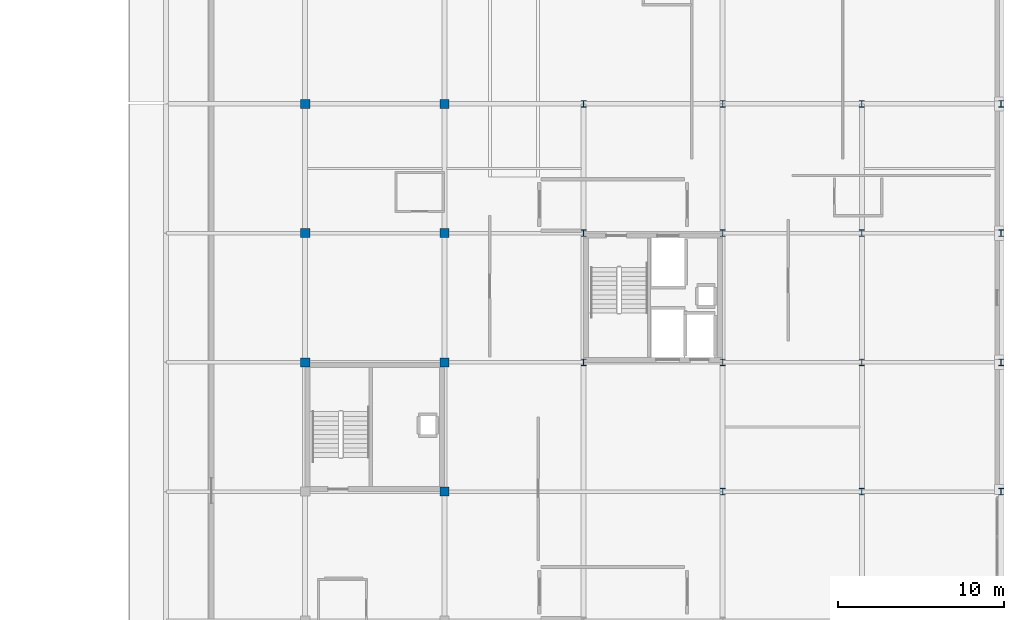
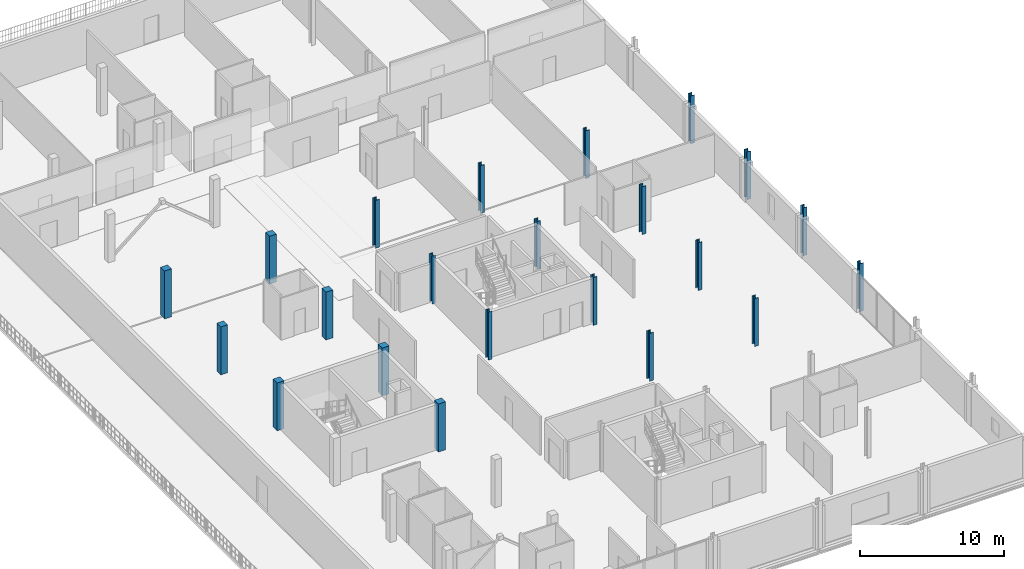
# One storey, part 2 of 20: 22 columns.
"""IFC4 building model written with IfcOpenShell, lengths in metres."""

from ifc_helpers import new_model, si_unit, direction, frame, origin, origin_2d, place, context, subcontext, project, spatial, rectangle, i_section, extrude, material, material_profile, profile_set, type_object, element, save


model = new_model("IFC4")

# Units and contexts
model_context = context("Model", 3, precision=1e-05, world=origin(), true_north=direction((0.0, 1.0)))
body_context = subcontext(model_context, "Body", "Model", "MODEL_VIEW")
ifc_project = project(units=[si_unit("LENGTHUNIT", "METRE"), si_unit("AREAUNIT", "SQUARE_METRE"), si_unit("VOLUMEUNIT", "CUBIC_METRE"), si_unit("PLANEANGLEUNIT", "RADIAN"), si_unit("MASSUNIT", "GRAM", prefix="KILO")], contexts=[model_context])

# Site, building, storey
site_placement = place(None, origin())
site = spatial("IfcSite", under=ifc_project, at=site_placement, CompositionType="ELEMENT")
building_placement = place(site_placement, origin())
building = spatial("IfcBuilding", under=site, at=building_placement, Name="Nabrawat Pavilion Hospital", CompositionType="ELEMENT")
storey_placement = place(building_placement, frame((0.0, 0.0, 27.0)))
storey = spatial("IfcBuildingStorey", under=building, at=storey_placement, Name="L06", CompositionType="ELEMENT", Elevation=27.0)

# Columns
ifc_material_1 = material(Name="Steel S355", Category="steel")
ifc_material_profile_1 = material_profile(ifc_material_1, i_section(OverallWidth=0.300048828125, OverallDepth=0.39990234375, WebThickness=0.013427734375, FlangeThickness=0.02392578125, FilletRadius=0.027099609375, at=origin_2d()), Name="HEB 400")
ifc_profile_set_1 = profile_set([ifc_material_profile_1], Name="Steel S355")
column_type_1 = type_object("IfcColumnType", Name="Composite Steel Column HEB 400", PredefinedType="COLUMN", material=ifc_profile_set_1)
for number, where, z_axis, x_axis, name in (
    (1, (168.0, 70.199951171875, 0.0), (0.0, 0.0, 1.0), (1.0, 0.0, 0.0), "L06 Structural Column G-21-K"),
    (2, (168.0, 78.0, 0.0), (0.0, 0.0, 1.0), (1.0, 0.0, 0.0), "L06 Structural Column G-21-L"),
    (3, (168.0, 85.800048828125, 0.0), (0.0, 0.0, 1.0), (1.0, 0.0, 0.0), "L06 Structural Column G-21-M1"),
    (4, (176.39990234375, 62.39990234375, 0.0), (0.0, 0.0, 1.0), (1.0, 0.0, 0.0), "L06 Structural Column G-22-J"),
    (5, (176.39990234375, 70.199951171875, 0.0), (0.0, 0.0, 1.0), (1.0, 0.0, 0.0), "L06 Structural Column G-22-K"),
    (6, (176.39990234375, 78.0, 0.0), (0.0, 0.0, 1.0), (1.0, 0.0, 0.0), "L06 Structural Column G-22-L"),
    (7, (176.39990234375, 85.800048828125, 0.0), (0.0, 0.0, 1.0), (1.0, 0.0, 0.0), "L06 Structural Column G-22-M1"),
    (8, (184.800048828125, 62.39990234375, 0.0), (0.0, 0.0, 1.0), (1.0, 0.0, 0.0), "L06 Structural Column G-23-J"),
    (9, (184.800048828125, 70.199951171875, 0.0), (0.0, 0.0, 1.0), (1.0, 0.0, 0.0), "L06 Structural Column G-23-K"),
    (10, (184.800048828125, 78.0, 0.0), (0.0, 0.0, 1.0), (1.0, 0.0, 0.0), "L06 Structural Column G-23-L"),
    (11, (184.800048828125, 85.800048828125, 0.0), (0.0, 0.0, 1.0), (1.0, 0.0, 0.0), "L06 Structural Column G-23-M1"),
    (12, (193.199951171875, 62.39990234375, 0.0), (0.0, 0.0, 1.0), (1.0, 0.0, 0.0), "L06 Structural Column G-24-J"),
    (13, (193.199951171875, 70.199951171875, 0.0), (0.0, 0.0, 1.0), (1.0, 0.0, 0.0), "L06 Structural Column G-24-K"),
    (14, (193.199951171875, 78.0, 0.0), (0.0, 0.0, 1.0), (1.0, 0.0, 0.0), "L06 Structural Column G-24-L"),
    (15, (193.199951171875, 85.800048828125, 0.0), (0.0, 0.0, 1.0), (1.0, 0.0, 0.0), "L06 Structural Column G-24-M1"),
):
    element("IfcColumn", number, at=place(storey_placement, frame(where, z_axis=z_axis, x_axis=x_axis)), inside=storey, type_object=column_type_1, Name=name, PredefinedType="COLUMN", context=body_context, shape_type="SweptSolid", body=[
        extrude(i_section(OverallWidth=0.300048828125, OverallDepth=0.39990234375, WebThickness=0.013427734375, FlangeThickness=0.02392578125, FilletRadius=0.027099609375, at=origin_2d()), origin(), (0.0, 0.0, 1.0), 4.050048828125),
    ])
ifc_material_2 = material(Name="Concrete C40/50", Category="concrete")
ifc_material_profile_2 = material_profile(ifc_material_2, rectangle(XDim=0.550048828125, YDim=0.550048828125, at=origin_2d()), Name="RC 550x550")
ifc_profile_set_2 = profile_set([ifc_material_profile_2], Name="Concrete C40/50")
column_type_2 = type_object("IfcColumnType", Name="Top Ward RC Column 550x550", PredefinedType="COLUMN", material=ifc_profile_set_2)
for number, where, z_axis, x_axis, name in (
    (16, (151.199951171875, 70.199951171875, 0.0), (0.0, 0.0, 1.0), (1.0, 0.0, 0.0), "L06 Structural Column G-19-K"),
    (17, (151.199951171875, 78.0, 0.0), (0.0, 0.0, 1.0), (1.0, 0.0, 0.0), "L06 Structural Column G-19-L"),
    (18, (151.199951171875, 85.800048828125, 0.0), (0.0, 0.0, 1.0), (1.0, 0.0, 0.0), "L06 Structural Column G-19-M1"),
    (19, (159.60009765625, 62.39990234375, 0.0), (0.0, 0.0, 1.0), (1.0, 0.0, 0.0), "L06 Structural Column G-20-J"),
    (20, (159.60009765625, 70.199951171875, 0.0), (0.0, 0.0, 1.0), (1.0, 0.0, 0.0), "L06 Structural Column G-20-K"),
    (21, (159.60009765625, 78.0, 0.0), (0.0, 0.0, 1.0), (1.0, 0.0, 0.0), "L06 Structural Column G-20-L"),
    (22, (159.60009765625, 85.800048828125, 0.0), (0.0, 0.0, 1.0), (1.0, 0.0, 0.0), "L06 Structural Column G-20-M1"),
):
    element("IfcColumn", number, at=place(storey_placement, frame(where, z_axis=z_axis, x_axis=x_axis)), inside=storey, type_object=column_type_2, Name=name, PredefinedType="COLUMN", context=body_context, shape_type="SweptSolid", body=[
        extrude(rectangle(XDim=0.550048828125, YDim=0.550048828125, at=origin_2d()), origin(), (0.0, 0.0, 1.0), 4.050048828125),
    ])

save(model, "model.ifc")
